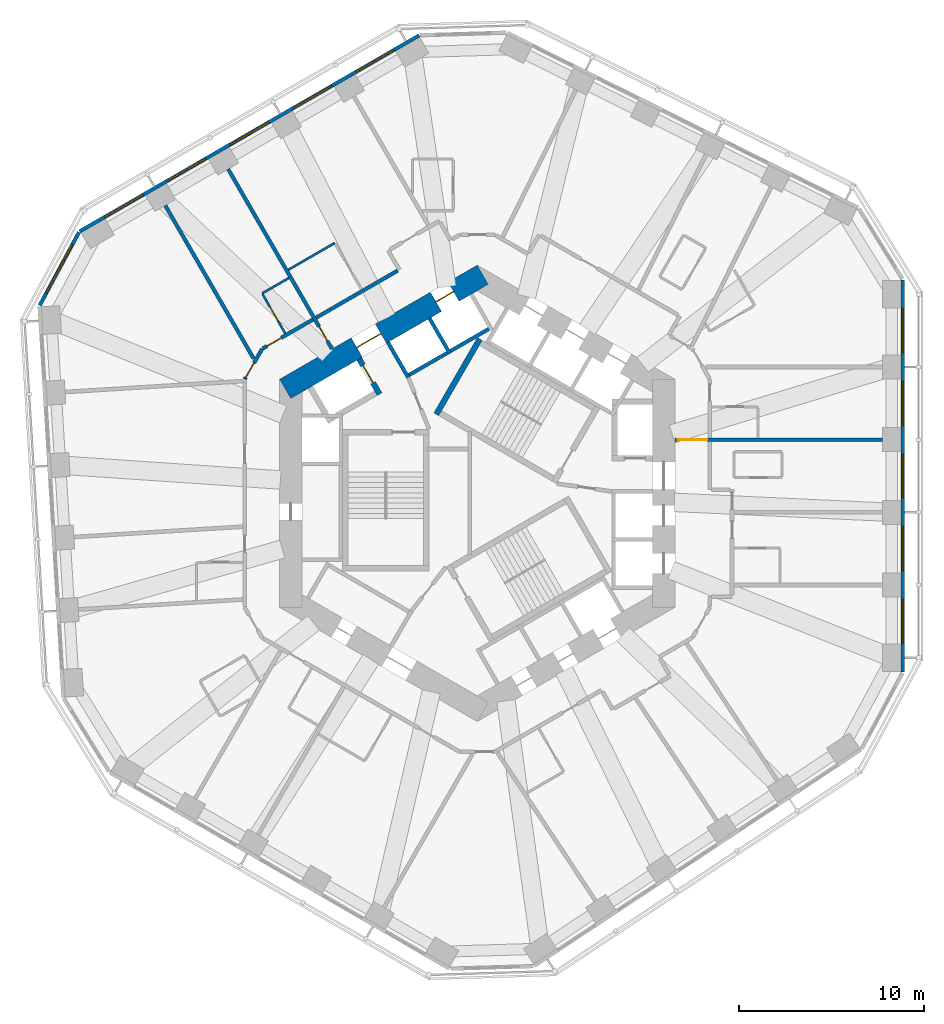
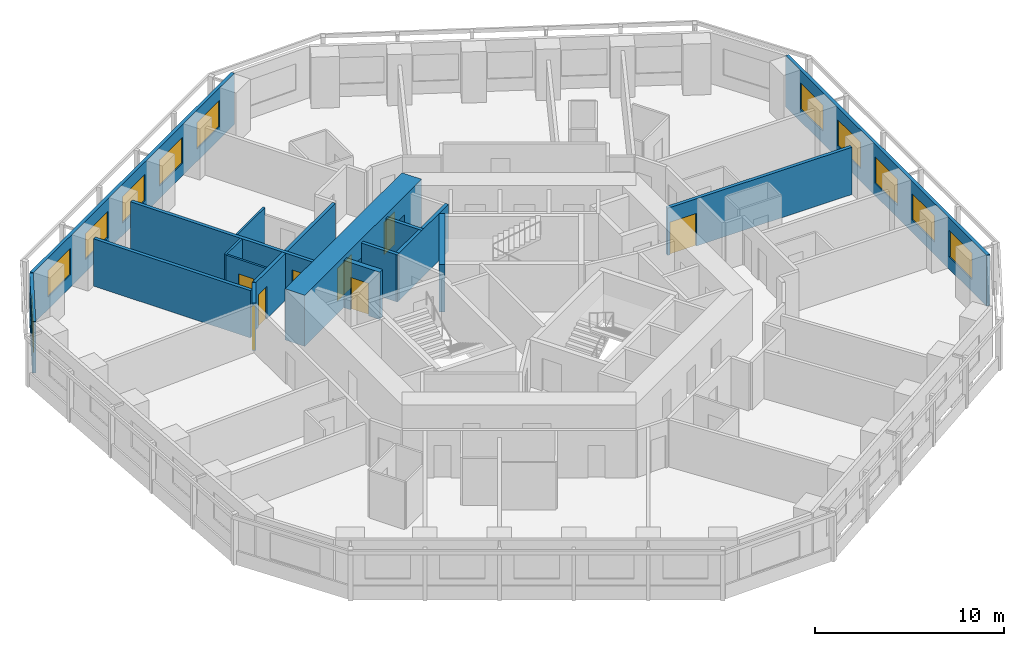
# One storey, part 7 of 12: 18 walls, 11 windows, 8 doors, 19 openings.
"""IFC4 building model written with IfcOpenShell, lengths in metres."""

from ifc_helpers import new_model, si_unit, direction, frame, frame_2d, origin, place, context, subcontext, project, spatial, rectangle, extrude, material, layer, layer_set, type_object, element, fill, save


model = new_model("IFC4")

# Units and contexts
model_context = context("Model", 3, precision=1e-05, world=origin(), true_north=direction((0.0, 1.0)))
body_context = subcontext(model_context, "Body", "Model", "MODEL_VIEW")
ifc_project = project(units=[si_unit("LENGTHUNIT", "METRE"), si_unit("AREAUNIT", "SQUARE_METRE"), si_unit("VOLUMEUNIT", "CUBIC_METRE"), si_unit("PLANEANGLEUNIT", "RADIAN"), si_unit("MASSUNIT", "GRAM", prefix="KILO")], contexts=[model_context])

# Site, building, storey
site_placement = place(None, origin())
site = spatial("IfcSite", under=ifc_project, at=site_placement, CompositionType="ELEMENT")
building_placement = place(site_placement, origin())
building = spatial("IfcBuilding", under=site, at=building_placement, Name="Vanh Sen Convention Tower", CompositionType="ELEMENT")
storey_placement = place(building_placement, frame((0.0, 0.0, 47.300048828125)))
storey = spatial("IfcBuildingStorey", under=building, at=storey_placement, Name="L08", CompositionType="ELEMENT", Elevation=47.300048828125)

# Wall
ifc_material_1 = material(Name="Moisture-resistant gypsum board on steel studs", Category="steel")
ifc_layer_1 = layer(ifc_material_1, 0.1201171875)
ifc_layer_set_1 = layer_set([ifc_layer_1], Name="Moisture-resistant gypsum board on steel studs")
wall_type_1 = type_object("IfcWallType", Name="Bathroom partition 120", PredefinedType="PARTITIONING", material=ifc_layer_set_1)
wall_1_placement = place(storey_placement, frame((-11.65087890625, 10.82470703125, 0.0), z_axis=(0.0, 0.0, 1.0), x_axis=(0.865998477143, 0.500046635412, 0.0)))
element("IfcWall", 1, at=wall_1_placement, inside=storey, type_object=wall_type_1, Name="Bathroom partition 120", PredefinedType="PARTITIONING", context=body_context, shape_type="SweptSolid", body=[
    extrude(rectangle(XDim=1.673095703125, YDim=0.1201171875, at=frame_2d((0.83642578125, 0.0))), origin(), (0.0, 0.0, 1.0), 3.050048828125),
])

# Wall, opening, door
wall_2_placement = place(storey_placement, frame((-10.40087890625, 8.65966796875, 0.0), z_axis=(0.0, 0.0, 1.0), x_axis=(-0.500077547548, 0.865980627057, 0.0)))
wall_2 = element("IfcWall", 2, at=wall_2_placement, inside=storey, type_object=wall_type_1, Name="Bathroom partition 120", PredefinedType="PARTITIONING", context=body_context, shape_type="SweptSolid", body=[
    extrude(rectangle(XDim=2.43994140625, YDim=0.1201171875, at=frame_2d((1.219970703125, 0.0))), origin(), (0.0, 0.0, 1.0), 3.050048828125),
])
opening_1_placement = place(wall_2_placement, frame((0.77001953125, 0.0, 0.0)))
opening_1 = element("IfcOpeningElement", 3, at=opening_1_placement, cuts=wall_2, Name="Opening D07117", PredefinedType="OPENING", context=body_context, shape_type="SweptSolid", body=[
    extrude(rectangle(XDim=0.89990234375, YDim=2.10009765625, at=frame_2d((0.449951171875, 1.050048828125))), frame((0.0, 0.070068359375, 0.0), z_axis=(0.0, -1.0, 0.0), x_axis=(1.0, 0.0, 0.0)), (0.0, 0.0, 1.0), 0.14013671875),
])
ifc_material_2 = material(Name="Laminate door in steel frame", Category="steel")
door_type_1 = type_object("IfcDoorType", Name="En-suite door 900", OperationType="SINGLE_SWING_LEFT", PredefinedType="DOOR", material=ifc_material_2)
door_1_placement = place(opening_1_placement, origin())
door_1 = element("IfcDoor", 4, at=door_1_placement, inside=storey, type_object=door_type_1, Name="En-suite door D07117", OperationType="SINGLE_SWING_LEFT", OverallHeight=2.10009765625, OverallWidth=0.89990234375, PredefinedType="DOOR", context=body_context, shape_type="SweptSolid", body=[
    extrude(rectangle(XDim=0.89990234375, YDim=2.10009765625, at=frame_2d((0.449951171875, 1.050048828125))), frame((0.0, 0.02490234375, 0.0), z_axis=(0.0, -1.0, 0.0), x_axis=(1.0, 0.0, 0.0)), (0.0, 0.0, 1.0), 0.050048828125),
])
fill(opening_1, door_1)

# Wall
wall_3_placement = place(storey_placement, frame((-10.228759765625, 12.107666015625, 0.0), z_axis=(0.0, 0.0, 1.0), x_axis=(0.866032775405, 0.499987231761, 0.0)))
element("IfcWall", 5, at=wall_3_placement, inside=storey, type_object=wall_type_1, Name="Bathroom partition 120", PredefinedType="PARTITIONING", context=body_context, shape_type="SweptSolid", body=[
    extrude(rectangle(XDim=2.89990234375, YDim=0.1201171875, at=frame_2d((1.449951171875, 0.0))), origin(), (0.0, 0.0, 1.0), 3.050048828125),
])

# Wall, openings, doors
ifc_material_3 = material(Name="Concrete C80/95", Category="concrete")
ifc_layer_2 = layer(ifc_material_3, 1.199951171875)
ifc_layer_set_2 = layer_set([ifc_layer_2], Name="Concrete C80/95")
wall_type_2 = type_object("IfcWallType", Name="Core outer wall 1200 C80/95", PredefinedType="SHEAR", material=ifc_layer_set_2)
wall_4_placement = place(storey_placement, frame((0.300048828125, 11.835693359375, 0.0), z_axis=(0.0, 0.0, 1.0), x_axis=(-0.866021384402, -0.500006961711, 0.0)))
wall_4 = element("IfcWall", 6, at=wall_4_placement, inside=storey, type_object=wall_type_2, Name="Core wall face NW L08", PredefinedType="SHEAR", context=body_context, shape_type="SweptSolid", body=[
    extrude(rectangle(XDim=12.355224609375, YDim=1.199951171875, at=frame_2d((6.177734375, 0.0))), origin(), (0.0, 0.0, 1.0), 3.300048828125),
])
opening_2_placement = place(wall_4_placement, frame((6.377685546875, 0.0, 0.0)))
opening_2 = element("IfcOpeningElement", 7, at=opening_2_placement, cuts=wall_4, Name="Opening D07002", PredefinedType="OPENING", context=body_context, shape_type="SweptSolid", body=[
    extrude(rectangle(XDim=1.5, YDim=2.10009765625, at=frame_2d((0.75, 1.050048828125))), frame((0.0, 0.60986328125, 0.0), z_axis=(0.0, -1.0, 0.0), x_axis=(1.0, 0.0, 0.0)), (0.0, 0.0, 1.0), 1.219970703125),
])
opening_3_placement = place(wall_4_placement, frame((1.82763671875, 0.0, 0.0)))
opening_3 = element("IfcOpeningElement", 8, at=opening_3_placement, cuts=wall_4, Name="Opening LD-LR6", PredefinedType="OPENING", context=body_context, shape_type="SweptSolid", body=[
    extrude(rectangle(XDim=1.10009765625, YDim=2.10009765625, at=frame_2d((0.550048828125, 1.050048828125))), frame((0.0, 0.60986328125, 0.0), z_axis=(0.0, -1.0, 0.0), x_axis=(1.0, 0.0, 0.0)), (0.0, 0.0, 1.0), 1.219970703125),
])
ifc_material_4 = material(Name="Stainless steel", Category="steel")
door_type_2 = type_object("IfcDoorType", Name="Lift landing door 1100", OperationType="DOUBLE_DOOR_SLIDING", PredefinedType="DOOR", material=ifc_material_4)
door_2_placement = place(opening_3_placement, origin())
door_2 = element("IfcDoor", 9, at=door_2_placement, inside=storey, type_object=door_type_2, Name="Lift LR6 landing door LD-LR6", OperationType="DOUBLE_DOOR_SLIDING", OverallHeight=2.10009765625, OverallWidth=1.10009765625, PredefinedType="DOOR", context=body_context, shape_type="SweptSolid", body=[
    extrude(rectangle(XDim=1.10009765625, YDim=2.10009765625, at=frame_2d((0.550048828125, 1.050048828125))), frame((0.0, 0.02490234375, 0.0), z_axis=(0.0, -1.0, 0.0), x_axis=(1.0, 0.0, 0.0)), (0.0, 0.0, 1.0), 0.050048828125),
])
fill(opening_3, door_2)
ifc_material_5 = material(Name="Steel S355", Category="steel")
door_type_3 = type_object("IfcDoorType", Name="Stair lobby door 1500", OperationType="DOUBLE_DOOR_SINGLE_SWING", PredefinedType="DOOR", material=ifc_material_5)
door_3_placement = place(opening_2_placement, origin())
door_3 = element("IfcDoor", 10, at=door_3_placement, inside=storey, type_object=door_type_3, Name="Stair lobby door D07002", OperationType="DOUBLE_DOOR_SINGLE_SWING", OverallHeight=2.10009765625, OverallWidth=1.5, PredefinedType="DOOR", context=body_context, shape_type="SweptSolid", body=[
    extrude(rectangle(XDim=1.5, YDim=2.10009765625, at=frame_2d((0.75, 1.050048828125))), frame((0.0, 0.02490234375, 0.0), z_axis=(0.0, -1.0, 0.0), x_axis=(1.0, 0.0, 0.0)), (0.0, 0.0, 1.0), 0.050048828125),
])
fill(opening_2, door_3)

# Wall, opening, door
ifc_material_6 = material(Name="Gypsum board on steel studs with mineral wool", Category="steel")
ifc_layer_3 = layer(ifc_material_6, 0.199951171875)
ifc_layer_set_3 = layer_set([ifc_layer_3], Name="Gypsum board on steel studs with mineral wool")
wall_type_3 = type_object("IfcWallType", Name="Corridor partition wall 200", PredefinedType="PARTITIONING", material=ifc_layer_set_3)
wall_5_placement = place(storey_placement, frame((-11.64990234375, 7.822998046875, 0.0), z_axis=(0.0, 0.0, 1.0), x_axis=(-0.500063520245, -0.865988727248, 0.0)))
wall_5 = element("IfcWall", 11, at=wall_5_placement, inside=storey, type_object=wall_type_3, Name="Corridor partition wall 200", PredefinedType="PARTITIONING", context=body_context, shape_type="SweptSolid", body=[
    extrude(rectangle(XDim=1.900146484375, YDim=0.199951171875, at=frame_2d((0.9501953125, 0.0))), origin(), (0.0, 0.0, 1.0), 3.050048828125),
])
opening_4_placement = place(wall_5_placement, frame((0.8818359375, 0.0, 0.0)))
opening_4 = element("IfcOpeningElement", 12, at=opening_4_placement, cuts=wall_5, Name="Opening D07118", PredefinedType="OPENING", context=body_context, shape_type="SweptSolid", body=[
    extrude(rectangle(XDim=0.89990234375, YDim=2.10009765625, at=frame_2d((0.449951171875, 1.050048828125))), frame((0.0, 0.10986328125, 0.0), z_axis=(0.0, -1.0, 0.0), x_axis=(1.0, 0.0, 0.0)), (0.0, 0.0, 1.0), 0.219970703125),
])
ifc_material_7 = material(Name="Timber fire door in steel frame", Category="steel")
door_type_4 = type_object("IfcDoorType", Name="Floor room door 900", OperationType="SINGLE_SWING_LEFT", PredefinedType="DOOR", material=ifc_material_7)
door_4_placement = place(opening_4_placement, origin())
door_4 = element("IfcDoor", 13, at=door_4_placement, inside=storey, type_object=door_type_4, Name="Meeting and amenity room door D07118", OperationType="SINGLE_SWING_LEFT", OverallHeight=2.10009765625, OverallWidth=0.89990234375, PredefinedType="DOOR", context=body_context, shape_type="SweptSolid", body=[
    extrude(rectangle(XDim=0.89990234375, YDim=2.10009765625, at=frame_2d((0.449951171875, 1.050048828125))), frame((0.0, 0.02490234375, 0.0), z_axis=(0.0, -1.0, 0.0), x_axis=(1.0, 0.0, 0.0)), (0.0, 0.0, 1.0), 0.050048828125),
])
fill(opening_4, door_4)

wall_6_placement = place(storey_placement, frame((-8.902099609375, 9.40966796875, 0.0), z_axis=(0.0, 0.0, 1.0), x_axis=(-0.866014299198, -0.500019233215, 0.0)))
wall_6 = element("IfcWall", 14, at=wall_6_placement, inside=storey, type_object=wall_type_3, Name="Corridor partition wall 200", PredefinedType="PARTITIONING", context=body_context, shape_type="SweptSolid", body=[
    extrude(rectangle(XDim=3.13330078125, YDim=0.199951171875, at=frame_2d((1.566650390625, 0.0))), origin(), (0.0, 0.0, 1.0), 3.050048828125),
])
opening_5_placement = place(wall_6_placement, frame((1.97802734375, 0.0, 0.0)))
opening_5 = element("IfcOpeningElement", 15, at=opening_5_placement, cuts=wall_6, Name="Opening D07116", PredefinedType="OPENING", context=body_context, shape_type="SweptSolid", body=[
    extrude(rectangle(XDim=0.89990234375, YDim=2.10009765625, at=frame_2d((0.449951171875, 1.050048828125))), frame((0.0, 0.10986328125, 0.0), z_axis=(0.0, -1.0, 0.0), x_axis=(1.0, 0.0, 0.0)), (0.0, 0.0, 1.0), 0.219970703125),
])
door_type_5 = type_object("IfcDoorType", Name="Guest room door 900", OperationType="SINGLE_SWING_LEFT", PredefinedType="DOOR", material=ifc_material_7)
door_5_placement = place(opening_5_placement, origin())
door_5 = element("IfcDoor", 16, at=door_5_placement, inside=storey, type_object=door_type_5, Name="Hotel guest room door D07116", OperationType="SINGLE_SWING_LEFT", OverallHeight=2.10009765625, OverallWidth=0.89990234375, PredefinedType="DOOR", context=body_context, shape_type="SweptSolid", body=[
    extrude(rectangle(XDim=0.89990234375, YDim=2.10009765625, at=frame_2d((0.449951171875, 1.050048828125))), frame((0.0, 0.02490234375, 0.0), z_axis=(0.0, -1.0, 0.0), x_axis=(1.0, 0.0, 0.0)), (0.0, 0.0, 1.0), 0.050048828125),
])
fill(opening_5, door_5)

# Wall
wall_7_placement = place(storey_placement, frame((-4.30908203125, 12.061279296875, 0.0), z_axis=(0.0, 0.0, 1.0), x_axis=(-0.866020679205, -0.500008183122, 0.0)))
element("IfcWall", 17, at=wall_7_placement, inside=storey, type_object=wall_type_3, Name="Corridor partition wall 200", PredefinedType="PARTITIONING", context=body_context, shape_type="SweptSolid", body=[
    extrude(rectangle(XDim=5.103515625, YDim=0.199951171875, at=frame_2d((2.5517578125, 0.0))), origin(), (0.0, 0.0, 1.0), 3.050048828125),
])

# Wall, openings, windows
ifc_material_8 = material(Name="Insulated lightweight infill wall")
ifc_layer_4 = layer(ifc_material_8, 0.199951171875)
ifc_layer_set_4 = layer_set([ifc_layer_4], Name="Insulated lightweight infill wall")
wall_type_4 = type_object("IfcWallType", Name="External wall 200", PredefinedType="STANDARD", material=ifc_layer_set_4)
wall_8_placement = place(storey_placement, frame((23.050048828125, -9.6865234375, 0.0), z_axis=(0.0, 0.0, 1.0), x_axis=(0.0, 1.0, 0.0)))
wall_8 = element("IfcWall", 18, at=wall_8_placement, inside=storey, type_object=wall_type_4, Name="External wall E L08", PredefinedType="STANDARD", context=body_context, shape_type="SweptSolid", body=[
    extrude(rectangle(XDim=21.24609375, YDim=0.199951171875, at=frame_2d((10.623046875, 0.0))), origin(), (0.0, 0.0, 1.0), 3.300048828125),
])
opening_6_placement = place(wall_8_placement, frame((1.5546875, 0.0, 0.800048828125)))
opening_6 = element("IfcOpeningElement", 19, at=opening_6_placement, cuts=wall_8, Name="Opening WH1-E1", PredefinedType="OPENING", context=body_context, shape_type="SweptSolid", body=[
    extrude(rectangle(XDim=2.39990234375, YDim=1.699951171875, at=frame_2d((1.199951171875, 0.85009765625))), frame((0.0, 0.10986328125, 0.0), z_axis=(0.0, -1.0, 0.0), x_axis=(1.0, 0.0, 0.0)), (0.0, 0.0, 1.0), 0.219970703125),
])
opening_7_placement = place(wall_8_placement, frame((5.4892578125, 0.0, 0.800048828125)))
opening_7 = element("IfcOpeningElement", 20, at=opening_7_placement, cuts=wall_8, Name="Opening WH1-E2", PredefinedType="OPENING", context=body_context, shape_type="SweptSolid", body=[
    extrude(rectangle(XDim=2.39990234375, YDim=1.699951171875, at=frame_2d((1.199951171875, 0.85009765625))), frame((0.0, 0.10986328125, 0.0), z_axis=(0.0, -1.0, 0.0), x_axis=(1.0, 0.0, 0.0)), (0.0, 0.0, 1.0), 0.219970703125),
])
opening_8_placement = place(wall_8_placement, frame((9.423828125, 0.0, 0.800048828125)))
opening_8 = element("IfcOpeningElement", 21, at=opening_8_placement, cuts=wall_8, Name="Opening WH1-E3", PredefinedType="OPENING", context=body_context, shape_type="SweptSolid", body=[
    extrude(rectangle(XDim=2.39990234375, YDim=1.699951171875, at=frame_2d((1.199951171875, 0.85009765625))), frame((0.0, 0.10986328125, 0.0), z_axis=(0.0, -1.0, 0.0), x_axis=(1.0, 0.0, 0.0)), (0.0, 0.0, 1.0), 0.219970703125),
])
opening_9_placement = place(wall_8_placement, frame((13.3583984375, 0.0, 0.800048828125)))
opening_9 = element("IfcOpeningElement", 22, at=opening_9_placement, cuts=wall_8, Name="Opening WH1-E4", PredefinedType="OPENING", context=body_context, shape_type="SweptSolid", body=[
    extrude(rectangle(XDim=2.39990234375, YDim=1.699951171875, at=frame_2d((1.199951171875, 0.85009765625))), frame((0.0, 0.10986328125, 0.0), z_axis=(0.0, -1.0, 0.0), x_axis=(1.0, 0.0, 0.0)), (0.0, 0.0, 1.0), 0.219970703125),
])
opening_10_placement = place(wall_8_placement, frame((17.29296875, 0.0, 0.800048828125)))
opening_10 = element("IfcOpeningElement", 23, at=opening_10_placement, cuts=wall_8, Name="Opening WH1-E5", PredefinedType="OPENING", context=body_context, shape_type="SweptSolid", body=[
    extrude(rectangle(XDim=2.39990234375, YDim=1.699951171875, at=frame_2d((1.199951171875, 0.85009765625))), frame((0.0, 0.10986328125, 0.0), z_axis=(0.0, -1.0, 0.0), x_axis=(1.0, 0.0, 0.0)), (0.0, 0.0, 1.0), 0.219970703125),
])
ifc_material_9 = material(Name="Aluminium frame with clear low-emissivity glass", Category="aluminium")
window_type_1 = type_object("IfcWindowType", Name="Hotel window 2400 x 1700", PartitioningType="SINGLE_PANEL", PredefinedType="WINDOW", material=ifc_material_9)
window_1_placement = place(opening_6_placement, origin())
window_1 = element("IfcWindow", 24, at=window_1_placement, inside=storey, type_object=window_type_1, Name="Window WH1-E1", OverallHeight=1.699951171875, OverallWidth=2.39990234375, PartitioningType="SINGLE_PANEL", PredefinedType="WINDOW", context=body_context, shape_type="SweptSolid", body=[
    extrude(rectangle(XDim=2.39990234375, YDim=1.699951171875, at=frame_2d((1.199951171875, 0.85009765625))), frame((0.0, 0.030029296875, 0.0), z_axis=(0.0, -1.0, 0.0), x_axis=(1.0, 0.0, 0.0)), (0.0, 0.0, 1.0), 0.06005859375),
])
fill(opening_6, window_1)
window_2_placement = place(opening_7_placement, origin())
window_2 = element("IfcWindow", 25, at=window_2_placement, inside=storey, type_object=window_type_1, Name="Window WH1-E2", OverallHeight=1.699951171875, OverallWidth=2.39990234375, PartitioningType="SINGLE_PANEL", PredefinedType="WINDOW", context=body_context, shape_type="SweptSolid", body=[
    extrude(rectangle(XDim=2.39990234375, YDim=1.699951171875, at=frame_2d((1.199951171875, 0.85009765625))), frame((0.0, 0.030029296875, 0.0), z_axis=(0.0, -1.0, 0.0), x_axis=(1.0, 0.0, 0.0)), (0.0, 0.0, 1.0), 0.06005859375),
])
fill(opening_7, window_2)
window_3_placement = place(opening_8_placement, origin())
window_3 = element("IfcWindow", 26, at=window_3_placement, inside=storey, type_object=window_type_1, Name="Window WH1-E3", OverallHeight=1.699951171875, OverallWidth=2.39990234375, PartitioningType="SINGLE_PANEL", PredefinedType="WINDOW", context=body_context, shape_type="SweptSolid", body=[
    extrude(rectangle(XDim=2.39990234375, YDim=1.699951171875, at=frame_2d((1.199951171875, 0.85009765625))), frame((0.0, 0.030029296875, 0.0), z_axis=(0.0, -1.0, 0.0), x_axis=(1.0, 0.0, 0.0)), (0.0, 0.0, 1.0), 0.06005859375),
])
fill(opening_8, window_3)
window_4_placement = place(opening_9_placement, origin())
window_4 = element("IfcWindow", 27, at=window_4_placement, inside=storey, type_object=window_type_1, Name="Window WH1-E4", OverallHeight=1.699951171875, OverallWidth=2.39990234375, PartitioningType="SINGLE_PANEL", PredefinedType="WINDOW", context=body_context, shape_type="SweptSolid", body=[
    extrude(rectangle(XDim=2.39990234375, YDim=1.699951171875, at=frame_2d((1.199951171875, 0.85009765625))), frame((0.0, 0.030029296875, 0.0), z_axis=(0.0, -1.0, 0.0), x_axis=(1.0, 0.0, 0.0)), (0.0, 0.0, 1.0), 0.06005859375),
])
fill(opening_9, window_4)
window_5_placement = place(opening_10_placement, origin())
window_5 = element("IfcWindow", 28, at=window_5_placement, inside=storey, type_object=window_type_1, Name="Window WH1-E5", OverallHeight=1.699951171875, OverallWidth=2.39990234375, PartitioningType="SINGLE_PANEL", PredefinedType="WINDOW", context=body_context, shape_type="SweptSolid", body=[
    extrude(rectangle(XDim=2.39990234375, YDim=1.699951171875, at=frame_2d((1.199951171875, 0.85009765625))), frame((0.0, 0.030029296875, 0.0), z_axis=(0.0, -1.0, 0.0), x_axis=(1.0, 0.0, 0.0)), (0.0, 0.0, 1.0), 0.06005859375),
])
fill(opening_10, window_5)

wall_9_placement = place(storey_placement, frame((-3.135986328125, 24.80517578125, 0.0), z_axis=(0.0, 0.0, 1.0), x_axis=(-0.866028291626, -0.499994998079, 0.0)))
wall_9 = element("IfcWall", 29, at=wall_9_placement, inside=storey, type_object=wall_type_4, Name="External wall NW L08", PredefinedType="STANDARD", context=body_context, shape_type="SweptSolid", body=[
    extrude(rectangle(XDim=21.246337890625, YDim=0.199951171875, at=frame_2d((10.623046875, 0.0))), origin(), (0.0, 0.0, 1.0), 3.300048828125),
])
opening_11_placement = place(wall_9_placement, frame((1.5546875, 0.0, 0.800048828125)))
opening_11 = element("IfcOpeningElement", 30, at=opening_11_placement, cuts=wall_9, Name="Opening WH1-NW1", PredefinedType="OPENING", context=body_context, shape_type="SweptSolid", body=[
    extrude(rectangle(XDim=2.39990234375, YDim=1.699951171875, at=frame_2d((1.199951171875, 0.85009765625))), frame((0.0, 0.10986328125, 0.0), z_axis=(0.0, -1.0, 0.0), x_axis=(1.0, 0.0, 0.0)), (0.0, 0.0, 1.0), 0.219970703125),
])
opening_12_placement = place(wall_9_placement, frame((5.4892578125, 0.0, 0.800048828125)))
opening_12 = element("IfcOpeningElement", 31, at=opening_12_placement, cuts=wall_9, Name="Opening WH1-NW2", PredefinedType="OPENING", context=body_context, shape_type="SweptSolid", body=[
    extrude(rectangle(XDim=2.39990234375, YDim=1.699951171875, at=frame_2d((1.199951171875, 0.85009765625))), frame((0.0, 0.10986328125, 0.0), z_axis=(0.0, -1.0, 0.0), x_axis=(1.0, 0.0, 0.0)), (0.0, 0.0, 1.0), 0.219970703125),
])
opening_13_placement = place(wall_9_placement, frame((9.423828125, 0.0, 0.800048828125)))
opening_13 = element("IfcOpeningElement", 32, at=opening_13_placement, cuts=wall_9, Name="Opening WH1-NW3", PredefinedType="OPENING", context=body_context, shape_type="SweptSolid", body=[
    extrude(rectangle(XDim=2.39990234375, YDim=1.699951171875, at=frame_2d((1.199951171875, 0.85009765625))), frame((0.0, 0.10986328125, 0.0), z_axis=(0.0, -1.0, 0.0), x_axis=(1.0, 0.0, 0.0)), (0.0, 0.0, 1.0), 0.219970703125),
])
opening_14_placement = place(wall_9_placement, frame((13.3583984375, 0.0, 0.800048828125)))
opening_14 = element("IfcOpeningElement", 33, at=opening_14_placement, cuts=wall_9, Name="Opening WH1-NW4", PredefinedType="OPENING", context=body_context, shape_type="SweptSolid", body=[
    extrude(rectangle(XDim=2.39990234375, YDim=1.699951171875, at=frame_2d((1.199951171875, 0.85009765625))), frame((0.0, 0.10986328125, 0.0), z_axis=(0.0, -1.0, 0.0), x_axis=(1.0, 0.0, 0.0)), (0.0, 0.0, 1.0), 0.219970703125),
])
opening_15_placement = place(wall_9_placement, frame((17.293212890625, 0.0, 0.800048828125)))
opening_15 = element("IfcOpeningElement", 34, at=opening_15_placement, cuts=wall_9, Name="Opening WH1-NW5", PredefinedType="OPENING", context=body_context, shape_type="SweptSolid", body=[
    extrude(rectangle(XDim=2.39990234375, YDim=1.699951171875, at=frame_2d((1.199951171875, 0.85009765625))), frame((0.0, 0.10986328125, 0.0), z_axis=(0.0, -1.0, 0.0), x_axis=(1.0, 0.0, 0.0)), (0.0, 0.0, 1.0), 0.219970703125),
])
window_6_placement = place(opening_11_placement, origin())
window_6 = element("IfcWindow", 35, at=window_6_placement, inside=storey, type_object=window_type_1, Name="Window WH1-NW1", OverallHeight=1.699951171875, OverallWidth=2.39990234375, PartitioningType="SINGLE_PANEL", PredefinedType="WINDOW", context=body_context, shape_type="SweptSolid", body=[
    extrude(rectangle(XDim=2.39990234375, YDim=1.699951171875, at=frame_2d((1.199951171875, 0.85009765625))), frame((0.0, 0.030029296875, 0.0), z_axis=(0.0, -1.0, 0.0), x_axis=(1.0, 0.0, 0.0)), (0.0, 0.0, 1.0), 0.06005859375),
])
fill(opening_11, window_6)
window_7_placement = place(opening_12_placement, origin())
window_7 = element("IfcWindow", 36, at=window_7_placement, inside=storey, type_object=window_type_1, Name="Window WH1-NW2", OverallHeight=1.699951171875, OverallWidth=2.39990234375, PartitioningType="SINGLE_PANEL", PredefinedType="WINDOW", context=body_context, shape_type="SweptSolid", body=[
    extrude(rectangle(XDim=2.39990234375, YDim=1.699951171875, at=frame_2d((1.199951171875, 0.85009765625))), frame((0.0, 0.030029296875, 0.0), z_axis=(0.0, -1.0, 0.0), x_axis=(1.0, 0.0, 0.0)), (0.0, 0.0, 1.0), 0.06005859375),
])
fill(opening_12, window_7)
window_8_placement = place(opening_13_placement, origin())
window_8 = element("IfcWindow", 37, at=window_8_placement, inside=storey, type_object=window_type_1, Name="Window WH1-NW3", OverallHeight=1.699951171875, OverallWidth=2.39990234375, PartitioningType="SINGLE_PANEL", PredefinedType="WINDOW", context=body_context, shape_type="SweptSolid", body=[
    extrude(rectangle(XDim=2.39990234375, YDim=1.699951171875, at=frame_2d((1.199951171875, 0.85009765625))), frame((0.0, 0.030029296875, 0.0), z_axis=(0.0, -1.0, 0.0), x_axis=(1.0, 0.0, 0.0)), (0.0, 0.0, 1.0), 0.06005859375),
])
fill(opening_13, window_8)
window_9_placement = place(opening_14_placement, origin())
window_9 = element("IfcWindow", 38, at=window_9_placement, inside=storey, type_object=window_type_1, Name="Window WH1-NW4", OverallHeight=1.699951171875, OverallWidth=2.39990234375, PartitioningType="SINGLE_PANEL", PredefinedType="WINDOW", context=body_context, shape_type="SweptSolid", body=[
    extrude(rectangle(XDim=2.39990234375, YDim=1.699951171875, at=frame_2d((1.199951171875, 0.85009765625))), frame((0.0, 0.030029296875, 0.0), z_axis=(0.0, -1.0, 0.0), x_axis=(1.0, 0.0, 0.0)), (0.0, 0.0, 1.0), 0.06005859375),
])
fill(opening_14, window_9)
window_10_placement = place(opening_15_placement, origin())
window_10 = element("IfcWindow", 39, at=window_10_placement, inside=storey, type_object=window_type_1, Name="Window WH1-NW5", OverallHeight=1.699951171875, OverallWidth=2.39990234375, PartitioningType="SINGLE_PANEL", PredefinedType="WINDOW", context=body_context, shape_type="SweptSolid", body=[
    extrude(rectangle(XDim=2.39990234375, YDim=1.699951171875, at=frame_2d((1.199951171875, 0.85009765625))), frame((0.0, 0.030029296875, 0.0), z_axis=(0.0, -1.0, 0.0), x_axis=(1.0, 0.0, 0.0)), (0.0, 0.0, 1.0), 0.06005859375),
])
fill(opening_15, window_10)

# Wall, opening, window
wall_10_placement = place(storey_placement, frame((-21.573974609375, 14.142822265625, 0.0), z_axis=(0.0, 0.0, 1.0), x_axis=(-0.473292949472, -0.880905093628, 0.0)))
wall_10 = element("IfcWall", 40, at=wall_10_placement, inside=storey, type_object=wall_type_4, Name="External wall CH3 L08", PredefinedType="STANDARD", context=body_context, shape_type="SweptSolid", body=[
    extrude(rectangle(XDim=4.493896484375, YDim=0.199951171875, at=frame_2d((2.2470703125, 0.0))), origin(), (0.0, 0.0, 1.0), 3.300048828125),
])
opening_16_placement = place(wall_10_placement, frame((0.746826171875, 0.0, 0.800048828125)))
opening_16 = element("IfcOpeningElement", 41, at=opening_16_placement, cuts=wall_10, Name="Opening WH2-CH31", PredefinedType="OPENING", context=body_context, shape_type="SweptSolid", body=[
    extrude(rectangle(XDim=3.0, YDim=1.699951171875, at=frame_2d((1.5, 0.85009765625))), frame((0.0, 0.10986328125, 0.0), z_axis=(0.0, -1.0, 0.0), x_axis=(1.0, 0.0, 0.0)), (0.0, 0.0, 1.0), 0.219970703125),
])
window_type_2 = type_object("IfcWindowType", Name="Hotel window 3000 x 1700", PartitioningType="SINGLE_PANEL", PredefinedType="WINDOW", material=ifc_material_9)
window_11_placement = place(opening_16_placement, origin())
window_11 = element("IfcWindow", 42, at=window_11_placement, inside=storey, type_object=window_type_2, Name="Window WH2-CH31", OverallHeight=1.699951171875, OverallWidth=3.0, PartitioningType="SINGLE_PANEL", PredefinedType="WINDOW", context=body_context, shape_type="SweptSolid", body=[
    extrude(rectangle(XDim=3.0, YDim=1.699951171875, at=frame_2d((1.5, 0.85009765625))), frame((0.0, 0.030029296875, 0.0), z_axis=(0.0, -1.0, 0.0), x_axis=(1.0, 0.0, 0.0)), (0.0, 0.0, 1.0), 0.06005859375),
])
fill(opening_16, window_11)

# Wall, opening, door
ifc_material_10 = material(Name="Concrete C60/75", Category="concrete")
ifc_layer_5 = layer(ifc_material_10, 0.300048828125)
ifc_layer_set_5 = layer_set([ifc_layer_5], Name="Concrete C60/75")
wall_type_5 = type_object("IfcWallType", Name="Fire-fighting lift shaft wall 300", PredefinedType="SHEAR", material=ifc_layer_set_5)
wall_11_placement = place(storey_placement, frame((-5.29541015625, 5.3720703125, 0.0), z_axis=(0.0, 0.0, 1.0), x_axis=(-0.500077893725, 0.86598042715, 0.0)))
wall_11 = element("IfcWall", 43, at=wall_11_placement, inside=storey, type_object=wall_type_5, Name="Fire-fighting lift shaft wall L08", PredefinedType="SHEAR", context=body_context, shape_type="SweptSolid", body=[
    extrude(rectangle(XDim=2.199951171875, YDim=0.300048828125, at=frame_2d((1.10009765625, 0.0))), origin(), (0.0, 0.0, 1.0), 3.050048828125),
])
opening_17_placement = place(wall_11_placement, frame((0.699951171875, 0.0, 0.0)))
opening_17 = element("IfcOpeningElement", 44, at=opening_17_placement, cuts=wall_11, Name="Opening LD-FF2", PredefinedType="OPENING", context=body_context, shape_type="SweptSolid", body=[
    extrude(rectangle(XDim=1.10009765625, YDim=2.10009765625, at=frame_2d((0.550048828125, 1.050048828125))), frame((0.0, 0.159912109375, 0.0), z_axis=(0.0, -1.0, 0.0), x_axis=(1.0, 0.0, 0.0)), (0.0, 0.0, 1.0), 0.320068359375),
])
door_type_6 = type_object("IfcDoorType", Name="Fire-fighting lift landing door 1100", OperationType="DOUBLE_DOOR_SLIDING", PredefinedType="DOOR", material=ifc_material_4)
door_6_placement = place(opening_17_placement, origin())
door_6 = element("IfcDoor", 45, at=door_6_placement, inside=storey, type_object=door_type_6, Name="Lift FF2 landing door LD-FF2", OperationType="DOUBLE_DOOR_SLIDING", OverallHeight=2.10009765625, OverallWidth=1.10009765625, PredefinedType="DOOR", context=body_context, shape_type="SweptSolid", body=[
    extrude(rectangle(XDim=1.10009765625, YDim=2.10009765625, at=frame_2d((0.550048828125, 1.050048828125))), frame((0.0, 0.02490234375, 0.0), z_axis=(0.0, -1.0, 0.0), x_axis=(1.0, 0.0, 0.0)), (0.0, 0.0, 1.0), 0.050048828125),
])
fill(opening_17, door_6)

# Walls
ifc_layer_6 = layer(ifc_material_6, 0.199951171875)
ifc_layer_set_6 = layer_set([ifc_layer_6], Name="Gypsum board on steel studs with mineral wool")
wall_type_6 = type_object("IfcWallType", Name="Hotel party wall 200", PredefinedType="PARTITIONING", material=ifc_layer_set_6)
wall_12_placement = place(storey_placement, frame((-16.89794921875, 15.589599609375, 0.0), z_axis=(0.0, 0.0, 1.0), x_axis=(0.500023458698, -0.866011859475, 0.0)))
element("IfcWall", 46, at=wall_12_placement, inside=storey, type_object=wall_type_6, Name="Hotel party wall 200", PredefinedType="PARTITIONING", context=body_context, shape_type="SweptSolid", body=[
    extrude(rectangle(XDim=9.57177734375, YDim=0.199951171875, at=frame_2d((4.785888671875, 0.0))), origin(), (0.0, 0.0, 1.0), 3.050048828125),
])
ifc_material_11 = material(Name="Concrete C40/50", Category="concrete")
ifc_layer_7 = layer(ifc_material_11, 0.199951171875)
ifc_layer_set_7 = layer_set([ifc_layer_7], Name="Concrete C40/50")
wall_type_7 = type_object("IfcWallType", Name="Lift shaft wall 200", PredefinedType="PARTITIONING", material=ifc_layer_set_7)
wall_13_placement = place(storey_placement, frame((0.80322265625, 9.008544921875, 0.0), z_axis=(0.0, 0.0, 1.0), x_axis=(-0.866028230842, -0.499995103361, 0.0)))
element("IfcWall", 47, at=wall_13_placement, inside=storey, type_object=wall_type_7, Name="Lift shaft wall L08", PredefinedType="PARTITIONING", context=body_context, shape_type="SweptSolid", body=[
    extrude(rectangle(XDim=5.39990234375, YDim=0.199951171875, at=frame_2d((2.699951171875, 0.0))), origin(), (0.0, 0.0, 1.0), 3.050048828125),
])
for number, where, z_axis, x_axis, name in (
    (48, (-1.48486328125, 7.572021484375, 0.0), (0.0, 0.0, 1.0), (-0.50002983664, 0.866008176907, 0.0), "Lift shaft wall L08"),
    (49, (-3.736572265625, 6.27197265625, 0.0), (0.0, 0.0, 1.0), (-0.50002983664, 0.866008176907, 0.0), "Lift shaft wall L08"),
):
    element("IfcWall", number, at=place(storey_placement, frame(where, z_axis=z_axis, x_axis=x_axis)), inside=storey, type_object=wall_type_7, Name=name, PredefinedType="PARTITIONING", context=body_context, shape_type="SweptSolid", body=[
        extrude(rectangle(XDim=2.199951171875, YDim=0.199951171875, at=frame_2d((1.10009765625, 0.0))), origin(), (0.0, 0.0, 1.0), 3.050048828125),
    ])
ifc_layer_8 = layer(ifc_material_10, 0.300048828125)
ifc_layer_set_8 = layer_set([ifc_layer_8], Name="Concrete C60/75")
wall_type_8 = type_object("IfcWallType", Name="Stair wall 300", PredefinedType="SHEAR", material=ifc_layer_set_8)
wall_14_placement = place(storey_placement, frame((-2.216064453125, 4.28173828125, 0.0), z_axis=(0.0, 0.0, 1.0), x_axis=(0.499977259774, 0.866038532462, 0.0)))
element("IfcWall", 50, at=wall_14_placement, inside=storey, type_object=wall_type_8, Name="Stair wall L08", PredefinedType="SHEAR", context=body_context, shape_type="SweptSolid", body=[
    extrude(rectangle(XDim=4.699951171875, YDim=0.300048828125, at=frame_2d((2.35009765625, 0.0))), origin(), (0.0, 0.0, 1.0), 3.050048828125),
])

# Wall, opening, door
ifc_material_12 = material(Name="Concrete C20/25", Category="concrete")
ifc_layer_9 = layer(ifc_material_12, 0.199951171875)
ifc_layer_set_9 = layer_set([ifc_layer_9], Name="Concrete C20/25")
wall_type_9 = type_object("IfcWallType", Name="Sub-compartment wall 200", PredefinedType="PARTITIONING", material=ifc_layer_set_9)
wall_15_placement = place(storey_placement, frame((-7.865478515625, 7.814208984375, 0.0), z_axis=(0.0, 0.0, 1.0), x_axis=(-0.500004234368, 0.866022959057, 0.0)))
wall_15 = element("IfcWall", 51, at=wall_15_placement, inside=storey, type_object=wall_type_9, Name="Sub-compartment wall 200", PredefinedType="PARTITIONING", context=body_context, shape_type="SweptSolid", body=[
    extrude(rectangle(XDim=11.25, YDim=0.199951171875, at=frame_2d((5.625, 0.0))), origin(), (0.0, 0.0, 1.0), 3.050048828125),
])
opening_18_placement = place(wall_15_placement, frame((0.5, 0.0, 0.0)))
opening_18 = element("IfcOpeningElement", 52, at=opening_18_placement, cuts=wall_15, Name="Opening D07133", PredefinedType="OPENING", context=body_context, shape_type="SweptSolid", body=[
    extrude(rectangle(XDim=0.89990234375, YDim=2.10009765625, at=frame_2d((0.449951171875, 1.050048828125))), frame((0.0, 0.10986328125, 0.0), z_axis=(0.0, -1.0, 0.0), x_axis=(1.0, 0.0, 0.0)), (0.0, 0.0, 1.0), 0.219970703125),
])
ifc_material_13 = material(Name="Steel S355", Category="steel")
door_type_7 = type_object("IfcDoorType", Name="Corridor fire door 900", OperationType="SINGLE_SWING_LEFT", PredefinedType="DOOR", material=ifc_material_13)
door_7_placement = place(opening_18_placement, origin())
door_7 = element("IfcDoor", 53, at=door_7_placement, inside=storey, type_object=door_type_7, Name="Sub-compartment door D07133", OperationType="SINGLE_SWING_LEFT", OverallHeight=2.10009765625, OverallWidth=0.89990234375, PredefinedType="DOOR", context=body_context, shape_type="SweptSolid", body=[
    extrude(rectangle(XDim=0.89990234375, YDim=2.10009765625, at=frame_2d((0.449951171875, 1.050048828125))), frame((0.0, 0.02490234375, 0.0), z_axis=(0.0, -1.0, 0.0), x_axis=(1.0, 0.0, 0.0)), (0.0, 0.0, 1.0), 0.050048828125),
])
fill(opening_18, door_7)

wall_16_placement = place(storey_placement, frame((21.949951171875, 2.904541015625, 0.0), z_axis=(0.0, 0.0, 1.0), x_axis=(-1.0, 0.0, 0.0)))
wall_16 = element("IfcWall", 54, at=wall_16_placement, inside=storey, type_object=wall_type_9, Name="Sub-compartment wall 200", PredefinedType="PARTITIONING", context=body_context, shape_type="SweptSolid", body=[
    extrude(rectangle(XDim=11.25, YDim=0.199951171875, at=frame_2d((5.625, 0.0))), origin(), (0.0, 0.0, 1.0), 3.050048828125),
])
opening_19_placement = place(wall_16_placement, frame((9.5, 0.0, 0.0)))
opening_19 = element("IfcOpeningElement", 55, at=opening_19_placement, cuts=wall_16, Name="Opening D07134", PredefinedType="OPENING", context=body_context, shape_type="SweptSolid", body=[
    extrude(rectangle(XDim=1.60009765625, YDim=2.10009765625, at=frame_2d((0.800048828125, 1.050048828125))), frame((0.0, 0.10986328125, 0.0), z_axis=(0.0, -1.0, 0.0), x_axis=(1.0, 0.0, 0.0)), (0.0, 0.0, 1.0), 0.219970703125),
])
door_type_8 = type_object("IfcDoorType", Name="Corridor fire door 1600", OperationType="DOUBLE_DOOR_SINGLE_SWING", PredefinedType="DOOR", material=ifc_material_13)
door_8_placement = place(opening_19_placement, origin())
door_8 = element("IfcDoor", 56, at=door_8_placement, inside=storey, type_object=door_type_8, Name="Sub-compartment door D07134", OperationType="DOUBLE_DOOR_SINGLE_SWING", OverallHeight=2.10009765625, OverallWidth=1.60009765625, PredefinedType="DOOR", context=body_context, shape_type="SweptSolid", body=[
    extrude(rectangle(XDim=1.60009765625, YDim=2.10009765625, at=frame_2d((0.800048828125, 1.050048828125))), frame((0.0, 0.02490234375, 0.0), z_axis=(0.0, -1.0, 0.0), x_axis=(1.0, 0.0, 0.0)), (0.0, 0.0, 1.0), 0.050048828125),
])
fill(opening_19, door_8)

save(model, "model.ifc")
